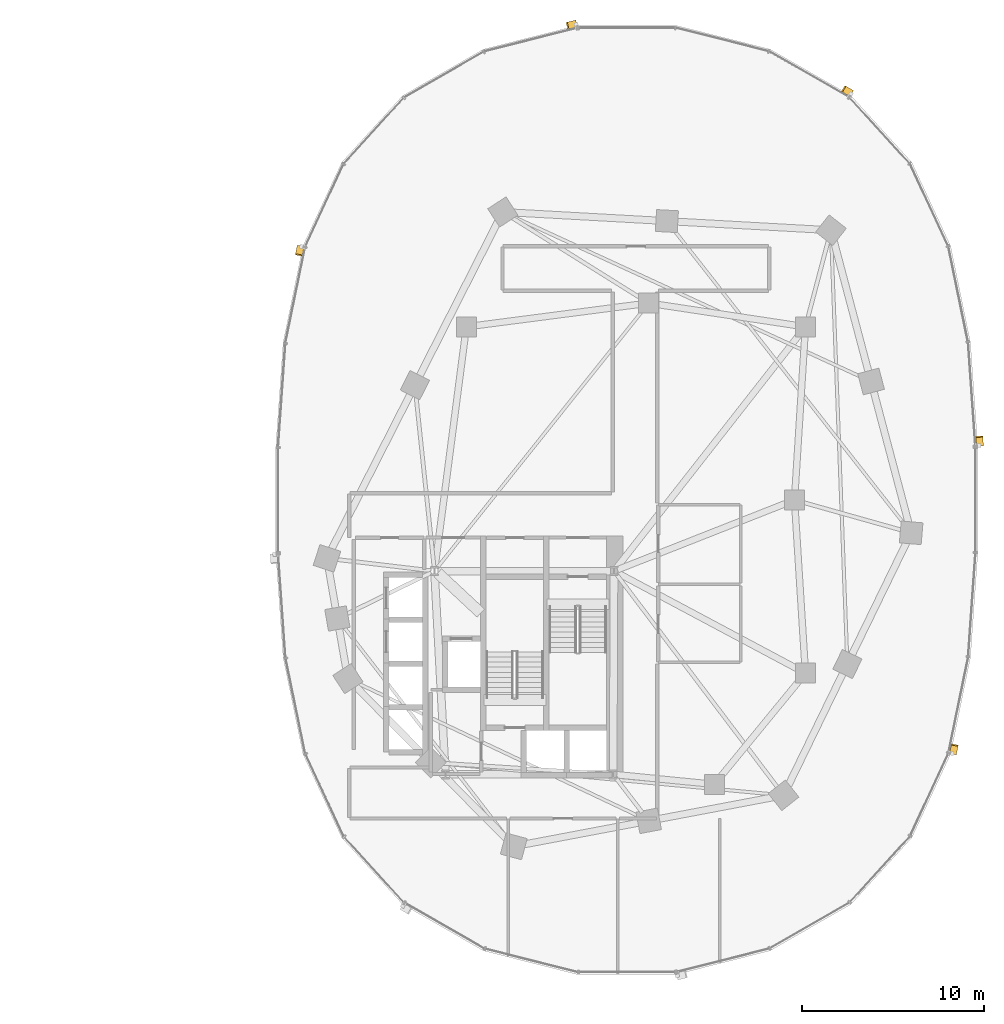
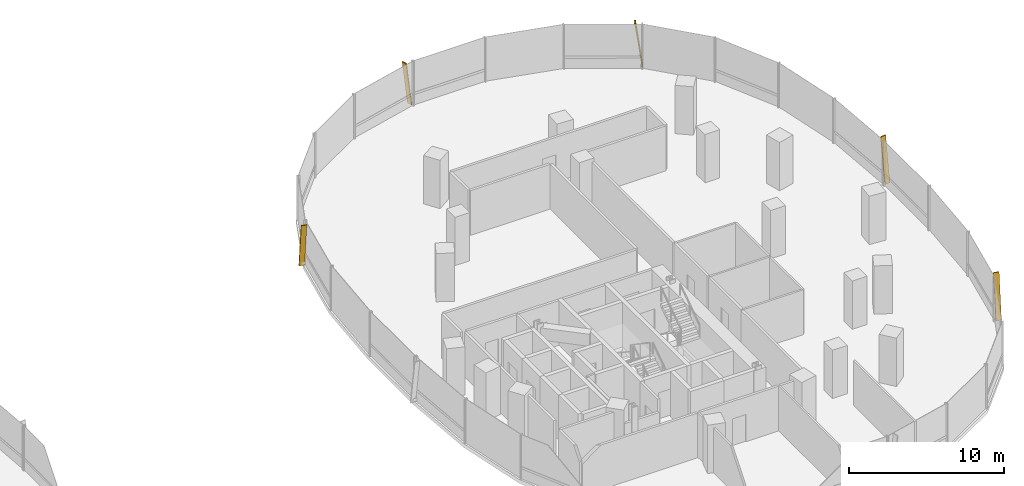
# One storey, part 21 of 21: 5 shading devices.
"""IFC4 building model written with IfcOpenShell, lengths in metres."""

from ifc_helpers import new_model, si_unit, direction, frame, origin, origin_2d, place, context, subcontext, project, spatial, rectangle, extrude, material, material_profile, profile_set, type_object, element, save


model = new_model("IFC4")

# Units and contexts
model_context = context("Model", 3, precision=1e-05, world=origin(), true_north=direction((0.0, 1.0)))
body_context = subcontext(model_context, "Body", "Model", "MODEL_VIEW")
ifc_project = project(units=[si_unit("LENGTHUNIT", "METRE"), si_unit("AREAUNIT", "SQUARE_METRE"), si_unit("VOLUMEUNIT", "CUBIC_METRE"), si_unit("PLANEANGLEUNIT", "RADIAN"), si_unit("MASSUNIT", "GRAM", prefix="KILO"), si_unit("THERMODYNAMICTEMPERATUREUNIT", "KELVIN"), si_unit("POWERUNIT", "WATT")], contexts=[model_context])

# Site, building, storey
site_placement = place(None, origin())
site = spatial("IfcSite", under=ifc_project, at=site_placement, CompositionType="ELEMENT")
building_placement = place(site_placement, origin())
building = spatial("IfcBuilding", under=site, at=building_placement, Name="Cundina Bronze Exchange", CompositionType="ELEMENT")
storey_placement = place(building_placement, frame((0.0, 0.0, 73.39990234375)))
storey = spatial("IfcBuildingStorey", under=building, at=storey_placement, Name="L18", CompositionType="ELEMENT", Elevation=73.39990234375)

# Shading devices
ifc_material = material(Name="Anodised Bronze Aluminium 6063-T6", Category="aluminium")
ifc_material_profile = material_profile(ifc_material, rectangle(XDim=0.070068359375, YDim=0.3798828125, at=origin_2d()), Name="FIN70X380", Category="aluminium")
ifc_profile_set = profile_set([ifc_material_profile], Name="Anodised Bronze Aluminium 6063-T6")
shading_device_type = type_object("IfcShadingDeviceType", Name="SHD-FIN-BRZ380", PredefinedType="USERDEFINED", material=ifc_profile_set)
for number, where, z_axis, x_axis, name in (
    (1, (51.3740234375, 2.993896484375, 0.02001953125), (-0.009590711413, 0.136285399132, 0.990623191854), (0.069540413612, -0.988179355741, 0.13662244238), "L18 Diagonal Bronze Solar Fin 1"),
    (2, (44.314208984375, 22.314208984375, 0.02001953125), (-0.118493676653, 0.068038304659, 0.990621036367), (0.859074841637, -0.49327523165, 0.136638070491), "L18 Diagonal Bronze Solar Fin 5"),
    (3, (29.212646484375, 26.138427734375, 0.02001953125), (-0.132462823811, -0.033497943902, 0.990621768417), (0.960388664093, 0.242868486932, 0.136632763046), "L18 Diagonal Bronze Solar Fin 1"),
    (4, (14.10400390625, 13.911865234375, 0.02001953125), (-0.02759050188, -0.133852157736, 0.990617163225), (0.19998825727, 0.970220109578, 0.136666147691), "L18 Diagonal Bronze Solar Fin 5"),
    (5, (49.89599609375, -13.911865234375, 0.02001953125), (0.02759050188, 0.133852157736, 0.990617163225), (-0.19998825727, -0.970220109578, 0.136666147691), "L18 Diagonal Bronze Solar Fin 5"),
):
    element("IfcShadingDevice", number, at=place(storey_placement, frame(where, z_axis=z_axis, x_axis=x_axis)), inside=storey, type_object=shading_device_type, Name=name, ObjectType="FIN", PredefinedType="USERDEFINED", context=body_context, shape_type="SweptSolid", body=[
        extrude(rectangle(XDim=0.070068359375, YDim=0.3798828125, at=origin_2d()), origin(), (0.0, 0.0, 1.0), 3.512939453125),
    ])

save(model, "model.ifc")
